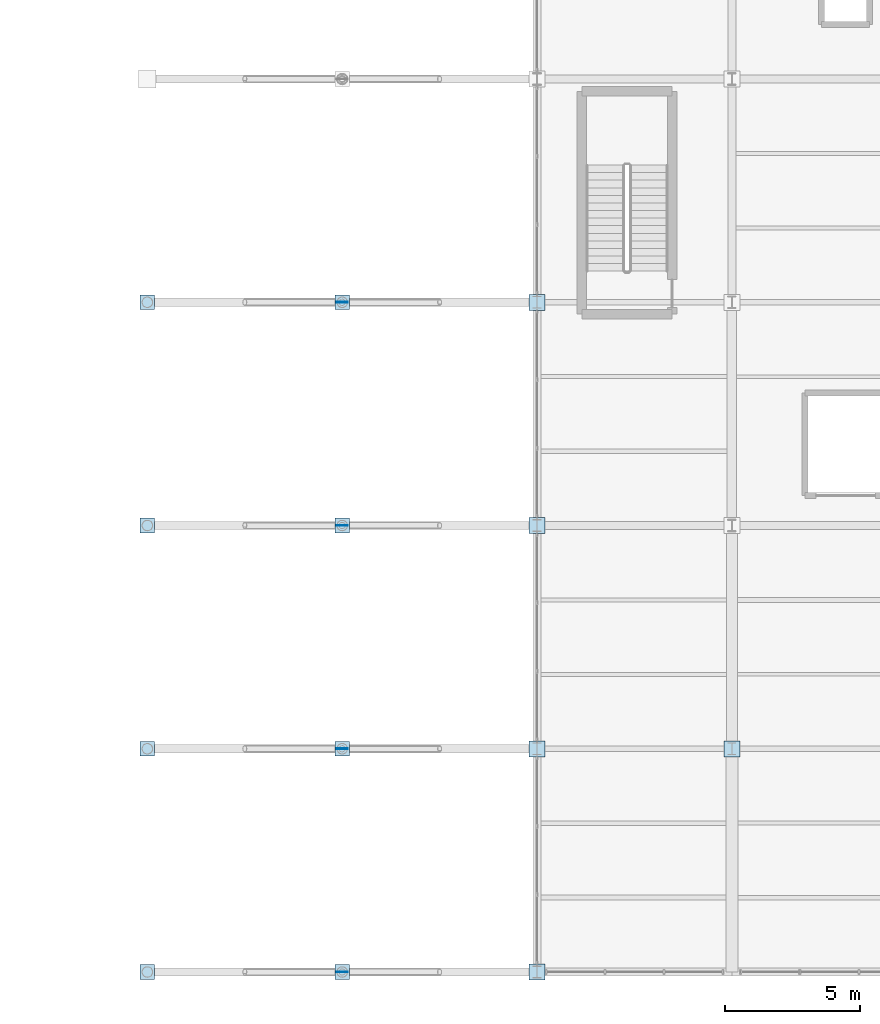
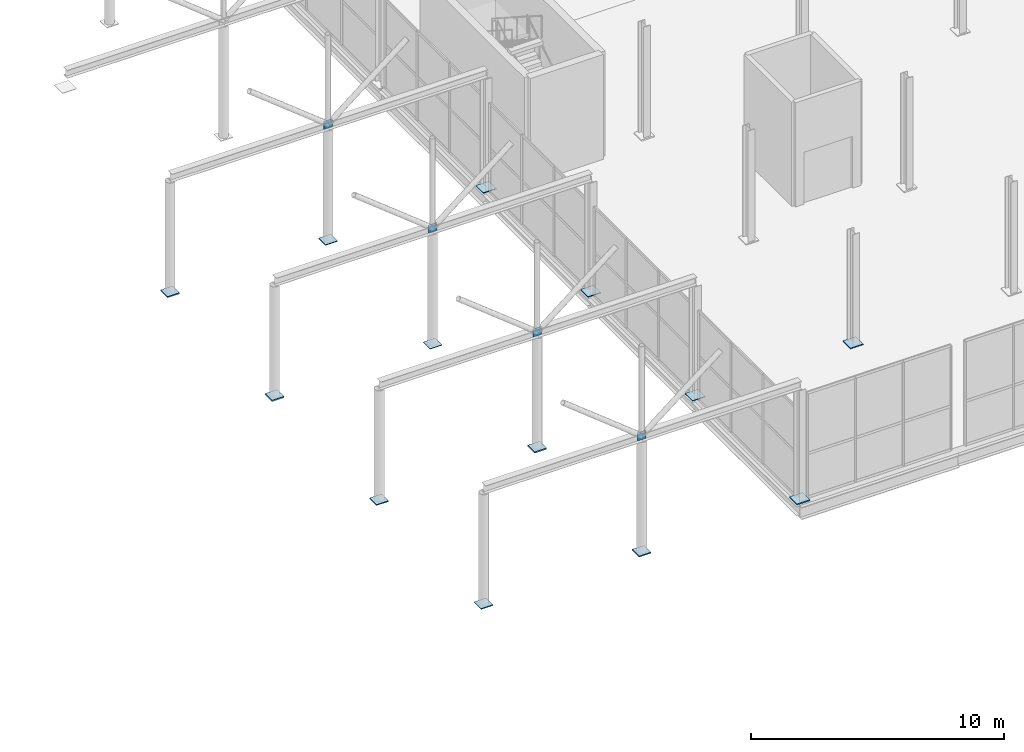
# One storey, part 121 of 147: 17 plates.
"""IFC4 building model written with IfcOpenShell, lengths in metres."""

from ifc_helpers import new_model, si_unit, direction, frame, origin, origin_2d, place, context, subcontext, project, spatial, rectangle, extrude, material, layer, layer_set, type_object, element, save


model = new_model("IFC4")

# Units and contexts
model_context = context("Model", 3, precision=1e-05, world=origin(), true_north=direction((0.0, 1.0)))
body_context = subcontext(model_context, "Body", "Model", "MODEL_VIEW")
ifc_project = project(units=[si_unit("LENGTHUNIT", "METRE"), si_unit("AREAUNIT", "SQUARE_METRE"), si_unit("VOLUMEUNIT", "CUBIC_METRE"), si_unit("PLANEANGLEUNIT", "RADIAN"), si_unit("MASSUNIT", "GRAM", prefix="KILO")], contexts=[model_context])

# Site, building, storey
site_placement = place(None, origin())
site = spatial("IfcSite", under=ifc_project, at=site_placement, CompositionType="ELEMENT")
building_placement = place(site_placement, origin())
building = spatial("IfcBuilding", under=site, at=building_placement, Name="Sundgate Opera House", CompositionType="ELEMENT")
storey_placement = place(building_placement, frame((0.0, 0.0, 6.0)))
storey = spatial("IfcBuildingStorey", under=building, at=storey_placement, Name="L01", CompositionType="ELEMENT", Elevation=6.0)

# Plates
ifc_material_1 = material(Name="Steel S355J2", Category="steel")
ifc_layer_1 = layer(ifc_material_1, 0.02587890625)
ifc_layer_set_1 = layer_set([ifc_layer_1], Name="Steel S355J2")
plate_type_1 = type_object("IfcPlateType", Name="PT-BAS-26", PredefinedType="USERDEFINED", material=ifc_layer_set_1)
plate_1_placement = place(storey_placement, frame((88.199951171875, 16.5, 0.0), z_axis=(0.0, 0.0, 1.0), x_axis=(1.0, 0.0, 0.0)))
element("IfcPlate", 1, at=plate_1_placement, inside=storey, type_object=plate_type_1, Name="L01 Base Plate PT0185", ObjectType="BASE PLATE", PredefinedType="USERDEFINED", context=body_context, shape_type="SweptSolid", body=[
    extrude(rectangle(XDim=0.5458984375, YDim=0.5458984375, at=origin_2d()), origin(), (0.0, 0.0, 1.0), 0.02587890625),
])
ifc_material_2 = material(Name="Steel S355J2", Category="steel")
ifc_layer_2 = layer(ifc_material_2, 0.030029296875)
ifc_layer_set_2 = layer_set([ifc_layer_2], Name="Steel S355J2")
plate_type_2 = type_object("IfcPlateType", Name="PT-BAS-30", PredefinedType="USERDEFINED", material=ifc_layer_set_2)
plate_2_placement = place(storey_placement, frame((95.39990234375, 8.25, 0.0), z_axis=(0.0, 0.0, 1.0), x_axis=(1.0, 0.0, 0.0)))
element("IfcPlate", 2, at=plate_2_placement, inside=storey, type_object=plate_type_2, Name="L01 Base Plate PT0213", ObjectType="BASE PLATE", PredefinedType="USERDEFINED", context=body_context, shape_type="SweptSolid", body=[
    extrude(rectangle(XDim=0.590087890625, YDim=0.590087890625, at=origin_2d()), origin(), (0.0, 0.0, 1.0), 0.030029296875),
])
ifc_material_3 = material(Name="Steel S355J2", Category="steel")
ifc_layer_3 = layer(ifc_material_3, 0.033935546875)
ifc_layer_set_3 = layer_set([ifc_layer_3], Name="Steel S355J2")
plate_type_3 = type_object("IfcPlateType", Name="PT-BAS-34", PredefinedType="USERDEFINED", material=ifc_layer_set_3)
plate_3_placement = place(storey_placement, frame((88.199951171875, 24.75, 0.0), z_axis=(0.0, 0.0, 1.0), x_axis=(1.0, 0.0, 0.0)))
element("IfcPlate", 3, at=plate_3_placement, inside=storey, type_object=plate_type_3, Name="L01 Base Plate PT0187", ObjectType="BASE PLATE", PredefinedType="USERDEFINED", context=body_context, shape_type="SweptSolid", body=[
    extrude(rectangle(XDim=0.5458984375, YDim=0.5458984375, at=origin_2d()), origin(), (0.0, 0.0, 1.0), 0.033935546875),
])
ifc_material_4 = material(Name="Steel S355J2", Category="steel")
ifc_layer_4 = layer(ifc_material_4, 0.035888671875)
ifc_layer_set_4 = layer_set([ifc_layer_4], Name="Steel S355J2")
plate_type_4 = type_object("IfcPlateType", Name="PT-BAS-36", PredefinedType="USERDEFINED", material=ifc_layer_set_4)
plate_4_placement = place(storey_placement, frame((81.0, 0.0, 0.0), z_axis=(0.0, 0.0, 1.0), x_axis=(1.0, 0.0, 0.0)))
element("IfcPlate", 4, at=plate_4_placement, inside=storey, type_object=plate_type_4, Name="L01 Base Plate PT0133", ObjectType="BASE PLATE", PredefinedType="USERDEFINED", context=body_context, shape_type="SweptSolid", body=[
    extrude(rectangle(XDim=0.5458984375, YDim=0.5458984375, at=origin_2d()), origin(), (0.0, 0.0, 1.0), 0.035888671875),
])
plate_5_placement = place(storey_placement, frame((95.39990234375, 16.5, 0.0), z_axis=(0.0, 0.0, 1.0), x_axis=(1.0, 0.0, 0.0)))
element("IfcPlate", 5, at=plate_5_placement, inside=storey, type_object=plate_type_4, Name="L01 Base Plate PT0216", ObjectType="BASE PLATE", PredefinedType="USERDEFINED", context=body_context, shape_type="SweptSolid", body=[
    extrude(rectangle(XDim=0.590087890625, YDim=0.590087890625, at=origin_2d()), origin(), (0.0, 0.0, 1.0), 0.035888671875),
])
ifc_material_5 = material(Name="Steel S355J2", Category="steel")
ifc_layer_5 = layer(ifc_material_5, 0.0400390625)
ifc_layer_set_5 = layer_set([ifc_layer_5], Name="Steel S355J2")
plate_type_5 = type_object("IfcPlateType", Name="PT-BAS-40", PredefinedType="USERDEFINED", material=ifc_layer_set_5)
for number, where, z_axis, x_axis, name in (
    (6, (95.39990234375, 24.75, 0.0), (0.0, 0.0, 1.0), (1.0, 0.0, 0.0), "L01 Base Plate PT0219"),
    (7, (102.60009765625, 8.25, 0.0), (0.0, 0.0, 1.0), (1.0, 0.0, 0.0), "L01 Base Plate PT0235"),
):
    element("IfcPlate", number, at=place(storey_placement, frame(where, z_axis=z_axis, x_axis=x_axis)), inside=storey, type_object=plate_type_5, Name=name, ObjectType="BASE PLATE", PredefinedType="USERDEFINED", context=body_context, shape_type="SweptSolid", body=[
        extrude(rectangle(XDim=0.590087890625, YDim=0.590087890625, at=origin_2d()), origin(), (0.0, 0.0, 1.0), 0.0400390625),
    ])
ifc_material_6 = material(Name="Steel S355J2", Category="steel")
ifc_layer_6 = layer(ifc_material_6, 0.044921875)
ifc_layer_set_6 = layer_set([ifc_layer_6], Name="Steel S355J2")
plate_type_6 = type_object("IfcPlateType", Name="PT-BAS-45", PredefinedType="USERDEFINED", material=ifc_layer_set_6)
plate_6_placement = place(storey_placement, frame((81.0, 8.25, 0.0), z_axis=(0.0, 0.0, 1.0), x_axis=(1.0, 0.0, 0.0)))
element("IfcPlate", 8, at=plate_6_placement, inside=storey, type_object=plate_type_6, Name="L01 Base Plate PT0135", ObjectType="BASE PLATE", PredefinedType="USERDEFINED", context=body_context, shape_type="SweptSolid", body=[
    extrude(rectangle(XDim=0.5458984375, YDim=0.5458984375, at=origin_2d()), origin(), (0.0, 0.0, 1.0), 0.044921875),
])
ifc_material_7 = material(Name="Steel S355J2", Category="steel")
ifc_layer_7 = layer(ifc_material_7, 0.050048828125)
ifc_layer_set_7 = layer_set([ifc_layer_7], Name="Steel S355J2")
plate_type_7 = type_object("IfcPlateType", Name="PT-BAS-50", PredefinedType="USERDEFINED", material=ifc_layer_set_7)
plate_7_placement = place(storey_placement, frame((88.199951171875, 0.0, 0.0), z_axis=(0.0, 0.0, 1.0), x_axis=(1.0, 0.0, 0.0)))
element("IfcPlate", 9, at=plate_7_placement, inside=storey, type_object=plate_type_7, Name="L01 Base Plate PT0181", ObjectType="BASE PLATE", PredefinedType="USERDEFINED", context=body_context, shape_type="SweptSolid", body=[
    extrude(rectangle(XDim=0.5458984375, YDim=0.5458984375, at=origin_2d()), origin(), (0.0, 0.0, 1.0), 0.050048828125),
])
ifc_material_8 = material(Name="Steel S355J2", Category="steel")
ifc_layer_8 = layer(ifc_material_8, 0.055908203125)
ifc_layer_set_8 = layer_set([ifc_layer_8], Name="Steel S355J2")
plate_type_8 = type_object("IfcPlateType", Name="PT-BAS-56", PredefinedType="USERDEFINED", material=ifc_layer_set_8)
plate_8_placement = place(storey_placement, frame((81.0, 24.75, 0.0), z_axis=(0.0, 0.0, 1.0), x_axis=(1.0, 0.0, 0.0)))
element("IfcPlate", 10, at=plate_8_placement, inside=storey, type_object=plate_type_8, Name="L01 Base Plate PT0139", ObjectType="BASE PLATE", PredefinedType="USERDEFINED", context=body_context, shape_type="SweptSolid", body=[
    extrude(rectangle(XDim=0.5458984375, YDim=0.5458984375, at=origin_2d()), origin(), (0.0, 0.0, 1.0), 0.055908203125),
])
plate_9_placement = place(storey_placement, frame((95.39990234375, 0.0, 0.0), z_axis=(0.0, 0.0, 1.0), x_axis=(1.0, 0.0, 0.0)))
element("IfcPlate", 11, at=plate_9_placement, inside=storey, type_object=plate_type_8, Name="L01 Base Plate PT0211", ObjectType="BASE PLATE", PredefinedType="USERDEFINED", context=body_context, shape_type="SweptSolid", body=[
    extrude(rectangle(XDim=0.590087890625, YDim=0.590087890625, at=origin_2d()), origin(), (0.0, 0.0, 1.0), 0.055908203125),
])
ifc_material_9 = material(Name="Steel S355J2", Category="steel")
ifc_layer_9 = layer(ifc_material_9, 0.06201171875)
ifc_layer_set_9 = layer_set([ifc_layer_9], Name="Steel S355J2")
plate_type_9 = type_object("IfcPlateType", Name="PT-BAS-62", PredefinedType="USERDEFINED", material=ifc_layer_set_9)
plate_10_placement = place(storey_placement, frame((88.199951171875, 8.25, 0.0), z_axis=(0.0, 0.0, 1.0), x_axis=(1.0, 0.0, 0.0)))
element("IfcPlate", 12, at=plate_10_placement, inside=storey, type_object=plate_type_9, Name="L01 Base Plate PT0183", ObjectType="BASE PLATE", PredefinedType="USERDEFINED", context=body_context, shape_type="SweptSolid", body=[
    extrude(rectangle(XDim=0.5458984375, YDim=0.5458984375, at=origin_2d()), origin(), (0.0, 0.0, 1.0), 0.06201171875),
])
ifc_material_10 = material(Name="Steel S355J2", Category="steel")
ifc_layer_10 = layer(ifc_material_10, 0.068115234375)
ifc_layer_set_10 = layer_set([ifc_layer_10], Name="Steel S355J2")
plate_type_10 = type_object("IfcPlateType", Name="PT-BAS-68", PredefinedType="USERDEFINED", material=ifc_layer_set_10)
plate_11_placement = place(storey_placement, frame((81.0, 16.5, 0.0), z_axis=(0.0, 0.0, 1.0), x_axis=(1.0, 0.0, 0.0)))
element("IfcPlate", 13, at=plate_11_placement, inside=storey, type_object=plate_type_10, Name="L01 Base Plate PT0137", ObjectType="BASE PLATE", PredefinedType="USERDEFINED", context=body_context, shape_type="SweptSolid", body=[
    extrude(rectangle(XDim=0.5458984375, YDim=0.5458984375, at=origin_2d()), origin(), (0.0, 0.0, 1.0), 0.068115234375),
])
ifc_material_11 = material(Name="Steel S355J2", Category="steel")
ifc_layer_11 = layer(ifc_material_11, 0.02197265625)
ifc_layer_set_11 = layer_set([ifc_layer_11], Name="Steel S355J2")
plate_type_11 = type_object("IfcPlateType", Name="PT-GUS-22", PredefinedType="USERDEFINED", material=ifc_layer_set_11)
for number, where, z_axis, x_axis, name in (
    (14, (88.199951171875, 0.0, 5.39501953125), (0.0, 0.0, 1.0), (1.0, 0.0, 0.0), "Passage Strut Shared Base Gusset"),
    (15, (88.199951171875, 8.25, 5.39501953125), (0.0, 0.0, 1.0), (1.0, 0.0, 0.0), "Passage Strut Shared Base Gusset"),
    (16, (88.199951171875, 16.5, 5.39501953125), (0.0, 0.0, 1.0), (1.0, 0.0, 0.0), "Passage Strut Shared Base Gusset"),
    (17, (88.199951171875, 24.75, 5.39501953125), (0.0, 0.0, 1.0), (1.0, 0.0, 0.0), "Passage Strut Shared Base Gusset"),
):
    element("IfcPlate", number, at=place(storey_placement, frame(where, z_axis=z_axis, x_axis=x_axis)), inside=storey, type_object=plate_type_11, Name=name, ObjectType="GUSSET PLATE", PredefinedType="USERDEFINED", context=body_context, shape_type="SweptSolid", body=[
        extrude(rectangle(XDim=0.39990234375, YDim=0.02197265625, at=origin_2d()), origin(), (0.0, 0.0, 1.0), 0.39990234375),
    ])

save(model, "model.ifc")
